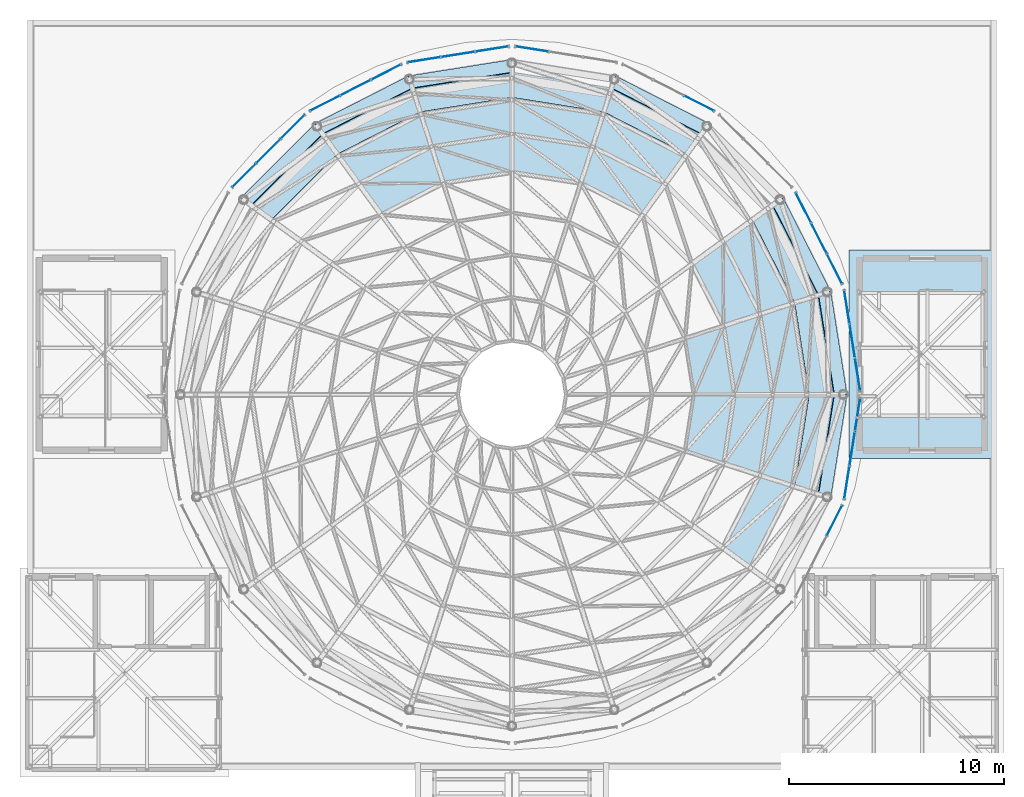
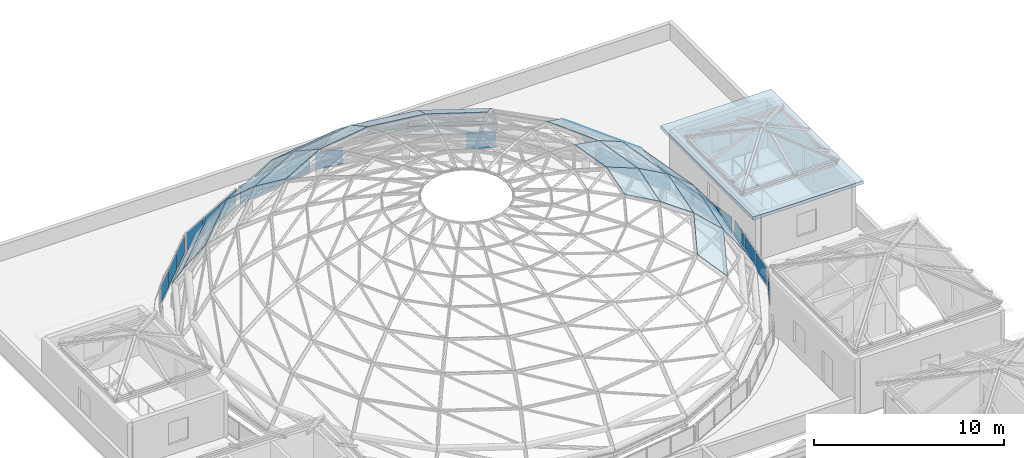
# One storey, part 45 of 69: 53 plates, 1 slab, 9 elements without a shape of their own.
"""IFC4 building model written with IfcOpenShell, lengths in metres."""

from ifc_helpers import new_model, si_unit, direction, frame, origin, origin_2d, place, context, subcontext, project, spatial, polyline, rectangle, outline, extrude, material, layer, layer_set, type_object, element, aggregate, save


model = new_model("IFC4")

# Units and contexts
model_context = context("Model", 3, precision=1e-05, world=origin(), true_north=direction((0.0, 1.0)))
body_context = subcontext(model_context, "Body", "Model", "MODEL_VIEW")
ifc_project = project(units=[si_unit("LENGTHUNIT", "METRE"), si_unit("AREAUNIT", "SQUARE_METRE"), si_unit("VOLUMEUNIT", "CUBIC_METRE"), si_unit("PLANEANGLEUNIT", "RADIAN"), si_unit("MASSUNIT", "GRAM", prefix="KILO")], contexts=[model_context])

# Site, building, storey
site_placement = place(None, origin())
site = spatial("IfcSite", under=ifc_project, at=site_placement, CompositionType="ELEMENT")
building_placement = place(site_placement, origin())
building = spatial("IfcBuilding", under=site, at=building_placement, Name="Kallimachos Central Library", CompositionType="ELEMENT")
storey_placement = place(building_placement, frame((0.0, 0.0, 23.39990234375)))
storey = spatial("IfcBuildingStorey", under=building, at=storey_placement, Name="L05", CompositionType="ELEMENT", Elevation=23.39990234375)

# Plates
ifc_material_1 = material(Name="Laminated glass", Category="glass")
ifc_layer_1 = layer(ifc_material_1, 0.030029296875)
ifc_layer_set_1 = layer_set([ifc_layer_1], Name="Dome glass panel 30")
plate_type_1 = type_object("IfcPlateType", Name="Dome glass panel 30", PredefinedType="SHEET", material=ifc_layer_set_1)
plate_1_placement = place(storey_placement, frame((96.491943359375, 104.39990234375, 7.128173828125), z_axis=(0.36227698329, 0.057379461971, 0.930302630719), x_axis=(0.931837913399, -1.20821e-06, -0.36287477613)))
element("IfcPlate", 1, at=plate_1_placement, inside=storey, type_object=plate_type_1, Name="Dome glass panel", PredefinedType="SHEET", context=body_context, shape_type="SweptSolid", body=[
    extrude(outline(polyline([(0.0, 0.0), (2.0454096458345776, 0.0), (1.5710693258436397, 3.218439230889356), (-0.3872073036253945, 2.6285954038547255), (0.0, 0.0)])), origin(), (0.0, 0.0, -1.0), 0.030029296875),
])
plate_2_placement = place(storey_placement, frame((96.076416015625, 101.77587890625, 7.128173828125), z_axis=(0.362273431763, -0.057381299347, 0.930303900413), x_axis=(0.886205662559, -0.288039670798, -0.362867292126)))
element("IfcPlate", 2, at=plate_2_placement, inside=storey, type_object=plate_type_1, Name="Dome glass panel", PredefinedType="SHEET", context=body_context, shape_type="SweptSolid", body=[
    extrude(outline(polyline([(0.0, 0.0), (2.045250764779541, -4.85722573273506e-17), (1.5708485916981765, 3.2184301143379273), (-0.38758016212524427, 2.628296709017089), (0.0, 0.0)])), origin(), (0.0, 0.0, -1.0), 0.030029296875),
])
plate_3_placement = place(storey_placement, frame((98.39794921875, 104.39990234375, 6.385986328125), z_axis=(0.481750522697, 0.076315913688, 0.872978988979), x_axis=(0.875532295338, 5.09502e-07, -0.483159600774)))
element("IfcPlate", 3, at=plate_3_placement, inside=storey, type_object=plate_type_1, Name="Dome glass panel", PredefinedType="SHEET", context=body_context, shape_type="SweptSolid", body=[
    extrude(outline(polyline([(0.0, 0.0), (2.0514939150252345, 2.7755575615628914e-17), (1.5288697456077458, 3.779331476812514), (-0.44567337163586224, 3.2225339516564997), (0.0, 0.0)])), origin(), (0.0, 0.0, -1.0), 0.030029296875),
])
plate_4_placement = place(storey_placement, frame((97.888916015625, 107.613037109375, 6.385986328125), z_axis=(0.434598869275, 0.221427079349, 0.87297988027), x_axis=(0.832659430085, 0.270610240913, -0.483164952168)))
element("IfcPlate", 4, at=plate_4_placement, inside=storey, type_object=plate_type_1, Name="Dome glass panel", PredefinedType="SHEET", context=body_context, shape_type="SweptSolid", body=[
    extrude(outline(polyline([(0.0, 0.0), (2.0515467348493885, 1.1102230246251565e-16), (1.5292860871941576, 3.7790466980522828), (-0.4452640386298784, 3.2225848386975295), (0.0, 0.0)])), origin(), (0.0, 0.0, -1.0), 0.030029296875),
])
plate_5_placement = place(storey_placement, frame((94.11181640625, 112.81201171875, 6.385986328125), z_axis=(0.221449258192, 0.434626180278, 0.872960657454), x_axis=(0.514585152967, 0.708324709918, -0.483195846076)))
element("IfcPlate", 5, at=plate_5_placement, inside=storey, type_object=plate_type_1, Name="Dome glass panel", PredefinedType="SHEET", context=body_context, shape_type="SweptSolid", body=[
    extrude(outline(polyline([(0.0, 0.0), (2.0514624047684378, 4.163336342344337e-17), (1.5289457598089728, 3.7792309130698163), (-0.445386969280537, 3.2226797403345007), (0.0, 0.0)])), origin(), (0.0, 0.0, -1.0), 0.030029296875),
])
plate_6_placement = place(storey_placement, frame((91.213134765625, 114.2890625, 6.385986328125), z_axis=(0.076306660292, 0.481781618691, 0.872962636936), x_axis=(0.270531960642, 0.832669408637, -0.483191591598)))
element("IfcPlate", 6, at=plate_6_placement, inside=storey, type_object=plate_type_1, Name="Dome glass panel", PredefinedType="SHEET", context=body_context, shape_type="SweptSolid", body=[
    extrude(outline(polyline([(0.0, 0.0), (2.051277390442588, 1.249000902703301e-16), (1.5289352086951906, 3.7791270341514185), (-0.44560256015994126, 3.2225051880734172), (0.0, 0.0)])), origin(), (0.0, 0.0, -1.0), 0.030029296875),
])
plate_7_placement = place(storey_placement, frame((88.0, 114.7978515625, 6.385986328125), z_axis=(-0.076306660292, 0.481781618691, 0.872962636936), x_axis=(2.170922e-06, 0.875515372728, -0.48319026492)))
element("IfcPlate", 7, at=plate_7_placement, inside=storey, type_object=plate_type_1, Name="Dome glass panel", PredefinedType="SHEET", context=body_context, shape_type="SweptSolid", body=[
    extrude(outline(polyline([(0.0, 0.0), (2.051493914240714, -1.3877787807814457e-17), (1.5288697461924077, 3.7790880479367703), (-0.4454596211586853, 3.222524950205716), (0.0, 0.0)])), origin(), (0.0, 0.0, -1.0), 0.030029296875),
])
plate_8_placement = place(storey_placement, frame((84.786865234375, 114.2890625, 6.385986328125), z_axis=(-0.221449258192, 0.434626180278, 0.872960657454), x_axis=(-0.270535623468, 0.832667150525, -0.483193432149)))
element("IfcPlate", 8, at=plate_8_placement, inside=storey, type_object=plate_type_1, Name="Dome glass panel", PredefinedType="SHEET", context=body_context, shape_type="SweptSolid", body=[
    extrude(outline(polyline([(0.0, 0.0), (2.0512773905610833, 0.0), (1.528815782979134, 3.7792385221318194), (-0.44569502032238006, 3.222637151468837), (0.0, 0.0)])), origin(), (0.0, 0.0, -1.0), 0.030029296875),
])
plate_9_placement = place(storey_placement, frame((97.888916015625, 101.186767578125, 6.385986328125), z_axis=(0.481754063023, -0.076319143399, 0.872976752904), x_axis=(0.832690993439, -0.270502790982, -0.483170725021)))
element("IfcPlate", 9, at=plate_9_placement, inside=storey, type_object=plate_type_1, Name="Dome glass panel", PredefinedType="SHEET", context=body_context, shape_type="SweptSolid", body=[
    extrude(outline(polyline([(0.0, 0.0), (2.0514806808048514, 2.7755575615628914e-17), (1.52926129675667, 3.7791440053789045), (-0.4452945582999969, 3.2225863185140455), (0.0, 0.0)])), origin(), (0.0, 0.0, -1.0), 0.030029296875),
])
plate_10_placement = place(storey_placement, frame((100.194091796875, 104.39990234375, 5.394775390625), z_axis=(0.623990542449, 0.098828209166, 0.775157266629), x_axis=(0.778970533281, 2.841534e-06, -0.62706052999)))
element("IfcPlate", 10, at=plate_10_placement, inside=storey, type_object=plate_type_1, Name="Dome glass panel", PredefinedType="SHEET", context=body_context, shape_type="SweptSolid", body=[
    extrude(outline(polyline([(0.0, 0.0), (2.0673293583424064, 2.7755575615628914e-17), (1.5411179776130912, 4.286850999316071), (-0.4649753649406279, 3.7868562609026943), (0.0, 0.0)])), origin(), (0.0, 0.0, -1.0), 0.030029296875),
])
plate_11_placement = place(storey_placement, frame((99.59716796875, 108.168212890625, 5.394775390625), z_axis=(0.562907142311, 0.286819828693, 0.775158006476), x_axis=(0.740869446786, 0.240656993927, -0.627053964259)))
element("IfcPlate", 11, at=plate_11_placement, inside=storey, type_object=plate_type_1, Name="Dome glass panel", PredefinedType="SHEET", context=body_context, shape_type="SweptSolid", body=[
    extrude(outline(polyline([(0.0, 0.0), (2.0674634797300535, 2.7755575615628914e-17), (1.5408064481610053, 4.28695738476905), (-0.46510266822462243, 3.7865062574825825), (0.0, 0.0)])), origin(), (0.0, 0.0, -1.0), 0.030029296875),
])
plate_12_placement = place(storey_placement, frame((95.16748046875, 114.26513671875, 5.394775390625), z_axis=(0.286792991085, 0.56289168485, 0.775179160834), x_axis=(0.457834384731, 0.630248596577, -0.627036189283)))
element("IfcPlate", 12, at=plate_12_placement, inside=storey, type_object=plate_type_1, Name="Dome glass panel", PredefinedType="SHEET", context=body_context, shape_type="SweptSolid", body=[
    extrude(outline(polyline([(0.0, 0.0), (2.0674372154850964, 1.3877787807814457e-17), (1.5413485697287832, 4.286696340810225), (-0.464819928924608, 3.786760142097733), (0.0, 0.0)])), origin(), (0.0, 0.0, -1.0), 0.030029296875),
])
plate_13_placement = place(storey_placement, frame((91.76806640625, 115.9970703125, 5.394775390625), z_axis=(0.098830426001, 0.62398557721, 0.775160980914), x_axis=(0.240769159484, 0.740835170853, -0.627051402573)))
element("IfcPlate", 13, at=plate_13_placement, inside=storey, type_object=plate_type_1, Name="Dome glass panel", PredefinedType="SHEET", context=body_context, shape_type="SweptSolid", body=[
    extrude(outline(polyline([(0.0, 0.0), (2.067522247505228, -2.7755575615628914e-17), (1.5408941698881842, 4.286799828977852), (-0.4650120153187337, 3.7866088151381785), (0.0, 0.0)])), origin(), (0.0, 0.0, -1.0), 0.030029296875),
])
plate_14_placement = place(storey_placement, frame((88.0, 116.593994140625, 5.394775390625), z_axis=(-0.098830426001, 0.62398557721, 0.775160980914), x_axis=(-3.454035e-06, 0.778974400038, -0.62705572645)))
element("IfcPlate", 14, at=plate_14_placement, inside=storey, type_object=plate_type_1, Name="Dome glass panel", PredefinedType="SHEET", context=body_context, shape_type="SweptSolid", body=[
    extrude(outline(polyline([(0.0, 0.0), (2.0673293579343692, 1.3877787807814457e-17), (1.5411179779172675, 4.28685099920672), (-0.46497536584847554, 3.786613315672333), (0.0, 0.0)])), origin(), (0.0, 0.0, -1.0), 0.030029296875),
])
plate_15_placement = place(storey_placement, frame((84.23193359375, 115.9970703125, 5.394775390625), z_axis=(-0.286792991085, 0.56289168485, 0.775179160834), x_axis=(-0.240767465673, 0.740846873335, -0.6270382267)))
element("IfcPlate", 15, at=plate_15_placement, inside=storey, type_object=plate_type_1, Name="Dome glass panel", PredefinedType="SHEET", context=body_context, shape_type="SweptSolid", body=[
    extrude(outline(polyline([(0.0, 0.0), (2.0675222484346567, 2.7755575615628914e-17), (1.54145670990546, 4.2866991766021405), (-0.46462927915226204, 3.7867835392401252), (0.0, 0.0)])), origin(), (0.0, 0.0, -1.0), 0.030029296875),
])
plate_16_placement = place(storey_placement, frame((97.865234375, 97.232666015625, 5.394775390625), z_axis=(0.562907142311, -0.286819828693, 0.775158006476), x_axis=(0.630141814249, -0.457961019476, -0.62705103347)))
element("IfcPlate", 16, at=plate_16_placement, inside=storey, type_object=plate_type_1, Name="Dome glass panel", PredefinedType="SHEET", context=body_context, shape_type="SweptSolid", body=[
    extrude(outline(polyline([(0.0, 0.0), (2.067395151876212, -2.7755575615628914e-17), (1.5406518662418782, 4.286946787489454), (-0.4653235458709106, 3.7864791201857346), (0.0, 0.0)])), origin(), (0.0, 0.0, -1.0), 0.030029296875),
])
plate_17_placement = place(storey_placement, frame((99.59716796875, 100.6318359375, 5.394775390625), z_axis=(0.62398961447, -0.098834068882, 0.775157266535), x_axis=(0.740859644765, -0.240658457268, -0.627064983637)))
element("IfcPlate", 17, at=plate_17_placement, inside=storey, type_object=plate_type_1, Name="Dome glass panel", PredefinedType="SHEET", context=body_context, shape_type="SweptSolid", body=[
    extrude(outline(polyline([(0.0, 0.0), (2.067463479072736, -4.163336342344337e-17), (1.5413829301650606, 4.286624112179151), (-0.46458027295593446, 3.7866618101911813), (0.0, 0.0)])), origin(), (0.0, 0.0, -1.0), 0.030029296875),
])
plate_18_placement = place(storey_placement, frame((101.804443359375, 104.39990234375, 4.098388671875), z_axis=(0.8060385409, 0.127668681023, 0.577929561858), x_axis=(0.582698576686, -6.919114e-06, -0.812688358893)))
element("IfcPlate", 18, at=plate_18_placement, inside=storey, type_object=plate_type_1, Name="Dome glass panel", PredefinedType="SHEET", context=body_context, shape_type="SweptSolid", body=[
    extrude(outline(polyline([(0.0, 0.0), (2.0101283155011345, -1.3877787807814457e-17), (1.582888329046985, 4.666124130108063), (-0.39366402816699025, 4.301048538686664), (0.0, 0.0)])), origin(), (0.0, 0.0, -1.0), 0.030029296875),
])
plate_19_placement = place(storey_placement, frame((101.12890625, 108.665771484375, 4.098388671875), z_axis=(0.727132424809, 0.370480641481, 0.577946823747), x_axis=(0.554157324258, 0.180150833884, -0.81268403271)))
element("IfcPlate", 19, at=plate_19_placement, inside=storey, type_object=plate_type_1, Name="Dome glass panel", PredefinedType="SHEET", context=body_context, shape_type="SweptSolid", body=[
    extrude(outline(polyline([(0.0, 0.0), (2.0099849274362587, -1.3877787807814457e-17), (1.5834128206214564, 4.665936133382014), (-0.3933774496878313, 4.301235336411186), (0.0, 0.0)])), origin(), (0.0, 0.0, -1.0), 0.030029296875),
])
plate_20_placement = place(storey_placement, frame((96.114013671875, 115.568115234375, 4.098388671875), z_axis=(0.370495519781, 0.727139498987, 0.577928385559), x_axis=(0.342523747773, 0.471397727073, -0.812687926034)))
element("IfcPlate", 20, at=plate_20_placement, inside=storey, type_object=plate_type_1, Name="Dome glass panel", PredefinedType="SHEET", context=body_context, shape_type="SweptSolid", body=[
    extrude(outline(polyline([(0.0, 0.0), (2.01003575697894, -5.551115123125783e-17), (1.5828219652487958, 4.665988722799677), (-0.39381449371839417, 4.300865602051241), (0.0, 0.0)])), origin(), (0.0, 0.0, -1.0), 0.030029296875),
])
plate_21_placement = place(storey_placement, frame((92.265869140625, 117.52880859375, 4.098388671875), z_axis=(0.127646774655, 0.806017803282, 0.577963322117), x_axis=(0.180003206072, 0.554226458852, -0.812669599599)))
element("IfcPlate", 21, at=plate_21_placement, inside=storey, type_object=plate_type_1, Name="Dome glass panel", PredefinedType="SHEET", context=body_context, shape_type="SweptSolid", body=[
    extrude(outline(polyline([(0.0, 0.0), (2.0100762631973534, -1.3877787807814457e-17), (1.5832762286195825, 4.665883897773747), (-0.39346958204622184, 4.301066332691642), (0.0, 0.0)])), origin(), (0.0, 0.0, -1.0), 0.030029296875),
])
plate_22_placement = place(storey_placement, frame((88.0, 118.204345703125, 4.098388671875), z_axis=(-0.127646774655, 0.806017803282, 0.577963322117), x_axis=(1.873301e-06, 0.582730431, -0.812665518392)))
element("IfcPlate", 22, at=plate_22_placement, inside=storey, type_object=plate_type_1, Name="Dome glass panel", PredefinedType="SHEET", context=body_context, shape_type="SweptSolid", body=[
    extrude(outline(polyline([(0.0, 0.0), (2.0101283182367347, -1.3877787807814457e-17), (1.5830305979523522, 4.665856658144118), (-0.3936640221600496, 4.301048540514967), (0.0, 0.0)])), origin(), (0.0, 0.0, -1.0), 0.030029296875),
])
plate_23_placement = place(storey_placement, frame((83.734130859375, 117.52880859375, 4.098388671875), z_axis=(-0.370495519781, 0.727139498987, 0.577928385559), x_axis=(-0.179997144746, 0.55420641031, -0.812684614506)))
element("IfcPlate", 23, at=plate_23_placement, inside=storey, type_object=plate_type_1, Name="Dome glass panel", PredefinedType="SHEET", context=body_context, shape_type="SweptSolid", body=[
    extrude(outline(polyline([(0.0, 0.0), (2.010076263285408, 5.551115123125783e-17), (1.5826228263029494, 4.665966774887074), (-0.3939738002242261, 4.300851011963461), (0.0, 0.0)])), origin(), (0.0, 0.0, -1.0), 0.030029296875),
])
plate_24_placement = place(storey_placement, frame((79.885986328125, 115.568115234375, 4.098388671875), z_axis=(-0.577037199739, 0.577059326246, 0.577953807938), x_axis=(-0.342538958721, 0.471408907353, -0.812675029656)))
element("IfcPlate", 24, at=plate_24_placement, inside=storey, type_object=plate_type_1, Name="Dome glass panel", PredefinedType="SHEET", context=body_context, shape_type="SweptSolid", body=[
    extrude(outline(polyline([(0.0, 0.0), (2.0100357559715203, 0.0), (1.5831747540244945, 4.665960792110681), (-0.39356303404184145, 4.300975630258858), (0.0, 0.0)])), origin(), (0.0, 0.0, -1.0), 0.030029296875),
])
plate_25_placement = place(storey_placement, frame((101.12890625, 100.13427734375, 4.098388671875), z_axis=(0.806037457696, -0.127675519008, 0.577929562003), x_axis=(0.554161527952, -0.18013781544, -0.812684052007)))
element("IfcPlate", 25, at=plate_25_placement, inside=storey, type_object=plate_type_1, Name="Dome glass panel", PredefinedType="SHEET", context=body_context, shape_type="SweptSolid", body=[
    extrude(outline(polyline([(0.0, 0.0), (2.0099849274396826, 0.0), (1.5826496678645496, 4.665873263185868), (-0.39404369226546276, 4.300771626552655), (0.0, 0.0)])), origin(), (0.0, 0.0, -1.0), 0.030029296875),
])
plate_26_placement = place(storey_placement, frame((102.975830078125, 104.39990234375, 2.46484375), z_axis=(0.84486379975, 0.133824012983, 0.517973255507), x_axis=(0.522673458519, 1.0393381e-05, -0.852532964554)))
element("IfcPlate", 26, at=plate_26_placement, inside=storey, type_object=plate_type_1, Name="Dome glass panel", PredefinedType="SHEET", context=body_context, shape_type="SweptSolid", body=[
    extrude(outline(polyline([(0.0, 0.0), (1.1253845000660936, 1.3877787807814457e-17), (0.7273043142825552, 4.853216892230375), (-0.3831521921382504, 4.669951049581846), (0.0, 0.0)])), origin(), (0.0, 0.0, -1.0), 0.030029296875),
])
plate_27_placement = place(storey_placement, frame((102.24267578125, 109.02783203125, 2.46484375), z_axis=(0.762180166759, 0.388324587715, 0.517962747671), x_axis=(0.497145565879, 0.16136985514, -0.852529211335)))
element("IfcPlate", 27, at=plate_27_placement, inside=storey, type_object=plate_type_1, Name="Dome glass panel", PredefinedType="SHEET", context=body_context, shape_type="SweptSolid", body=[
    extrude(outline(polyline([(0.0, 0.0), (1.1254776879307007, 0.0), (0.7266036563186589, 4.853229141871534), (-0.3837176872657795, 4.66965571620171), (0.0, 0.0)])), origin(), (0.0, 0.0, -1.0), 0.030029296875),
])
plate_28_placement = place(storey_placement, frame((96.802490234375, 116.515625, 2.46484375), z_axis=(0.388360347864, 0.762185597162, 0.517927944491), x_axis=(0.307187230564, 0.422818240392, -0.852561282824)))
element("IfcPlate", 28, at=plate_28_placement, inside=storey, type_object=plate_type_1, Name="Dome glass panel", PredefinedType="SHEET", context=body_context, shape_type="SweptSolid", body=[
    extrude(outline(polyline([(0.0, 0.0), (1.1253944605713686, 4.163336342344337e-17), (0.727346338597733, 4.853078689302593), (-0.38302888528066503, 4.669823471888973), (0.0, 0.0)])), origin(), (0.0, 0.0, -1.0), 0.030029296875),
])
plate_29_placement = place(storey_placement, frame((88.0, 119.375732421875, 2.46484375), z_axis=(-0.133826210018, 0.84485581386, 0.517985713412), x_axis=(1.2153186e-05, 0.522688781651, -0.85252356999)))
element("IfcPlate", 29, at=plate_29_placement, inside=storey, type_object=plate_type_1, Name="Dome glass panel", PredefinedType="SHEET", context=body_context, shape_type="SweptSolid", body=[
    extrude(outline(polyline([(0.0, 0.0), (1.1255121078709978, 0.0), (0.7271842013059528, 4.853234890871789), (-0.38314015775161947, 4.669671768653668), (0.0, 0.0)])), origin(), (0.0, 0.0, -1.0), 0.030029296875),
])
plate_30_placement = place(storey_placement, frame((83.372314453125, 118.642822265625, 2.46484375), z_axis=(-0.388360347864, 0.762185597162, 0.517927944491), x_axis=(-0.161615219952, 0.496997558745, -0.852569027869)))
element("IfcPlate", 30, at=plate_30_placement, inside=storey, type_object=plate_type_1, Name="Dome glass panel", PredefinedType="SHEET", context=body_context, shape_type="SweptSolid", body=[
    extrude(outline(polyline([(0.0, 0.0), (1.1253957581723488, 2.7755575615628914e-17), (0.7278740734369874, 4.853121838789427), (-0.38249987015936904, 4.669866832672277), (0.0, 0.0)])), origin(), (0.0, 0.0, -1.0), 0.030029296875),
])
plate_31_placement = place(storey_placement, frame((79.197509765625, 116.515625, 2.46484375), z_axis=(-0.60485826471, 0.604901979397, 0.517918984913), x_axis=(-0.307182429579, 0.422810289459, -0.852566955779)))
element("IfcPlate", 31, at=plate_31_placement, inside=storey, type_object=plate_type_1, Name="Dome glass panel", PredefinedType="SHEET", context=body_context, shape_type="SweptSolid", body=[
    extrude(outline(polyline([(0.0, 0.0), (1.1253944606077242, 2.7755575615628914e-17), (0.7273494104477153, 4.853176943057057), (-0.38299874905748443, 4.6697657747767), (0.0, 0.0)])), origin(), (0.0, 0.0, -1.0), 0.030029296875),
])
plate_32_placement = place(storey_placement, frame((102.24267578125, 99.772216796875, 2.46484375), z_axis=(0.84485581386, -0.133826210018, 0.517985713412), x_axis=(0.497089202167, -0.161588694416, -0.852520626687)))
element("IfcPlate", 32, at=plate_32_placement, inside=storey, type_object=plate_type_1, Name="Dome glass panel", PredefinedType="SHEET", context=body_context, shape_type="SweptSolid", body=[
    extrude(outline(polyline([(0.0, 0.0), (1.125517112203259, -4.163336342344337e-17), (0.726987090419343, 4.853179973573302), (-0.383338581186722, 4.669693808498468), (0.0, 0.0)])), origin(), (0.0, 0.0, -1.0), 0.030029296875),
])

# Slab
ifc_material_2 = material(Name="Concrete C30/37", Category="concrete")
ifc_layer_2 = layer(ifc_material_2, 0.199951171875)
ifc_layer_set_2 = layer_set([ifc_layer_2], Name="Head-house roof slab 200")
slab_type = type_object("IfcSlabType", Name="Head-house roof slab 200", PredefinedType="ROOF", material=ifc_layer_set_2)
slab_placement = place(storey_placement, frame((0.0, 0.0, 3.0)))
element("IfcSlab", 33, at=slab_placement, inside=storey, type_object=slab_type, Name="Head-house roof and cornice V1-NE", PredefinedType="ROOF", context=body_context, shape_type="SweptSolid", body=[
    extrude(outline(polyline([(103.64990234375, 101.425048828125), (110.35009765625, 101.425048828125), (110.35009765625, 111.125), (103.64990234375, 111.125), (103.64990234375, 101.425048828125)])), origin(), (0.0, 0.0, 1.0), 0.2001953125),
])

# Curtain wall, plates
ifc_material_3 = material(Name="Anodised aluminium and laminated glass", Category="aluminium")
ifc_layer_3 = layer(ifc_material_3, 0.159912109375)
ifc_layer_set_3 = layer_set([ifc_layer_3], Name="Glass box curtain wall")
curtain_wall_type = type_object("IfcCurtainWallType", Name="Glass box curtain wall", PredefinedType="NOTDEFINED", material=ifc_layer_set_3)
curtain_wall_1_placement = place(storey_placement, origin())
curtain_wall_1 = element("IfcCurtainWall", 34, at=curtain_wall_1_placement, inside=storey, type_object=curtain_wall_type, Name="Drum clerestory facet 1", PredefinedType="NOTDEFINED")
ifc_material_4 = material(Name="Laminated glass", Category="glass")
ifc_layer_4 = layer(ifc_material_4, 0.028076171875)
ifc_layer_set_4 = layer_set([ifc_layer_4], Name="Laminated glass panel 28")
plate_type_2 = type_object("IfcPlateType", Name="Laminated glass panel 28", PredefinedType="CURTAIN_PANEL", material=ifc_layer_set_4)
plate_33_placement = place(storey_placement, frame((104.052490234375, 105.328125, 0.06005859375), z_axis=(0.0, 0.0, 1.0), x_axis=(-0.156435338924, 0.987688202185, 0.0)))
plate_33 = element("IfcPlate", 35, at=plate_33_placement, type_object=plate_type_2, Name="CW35 panel 1.1", PredefinedType="CURTAIN_PANEL", context=body_context, shape_type="SweptSolid", body=[
    extrude(rectangle(XDim=1.51953125, YDim=0.028076171875, at=origin_2d()), origin(), (0.0, 0.0, 1.0), 1.080078125),
])
plate_34_placement = place(storey_placement, frame((103.802978515625, 106.903076171875, 0.06005859375), z_axis=(0.0, 0.0, 1.0), x_axis=(-0.156435338924, 0.987688202185, 0.0)))
plate_34 = element("IfcPlate", 36, at=plate_34_placement, type_object=plate_type_2, Name="CW35 panel 2.1", PredefinedType="CURTAIN_PANEL", context=body_context, shape_type="SweptSolid", body=[
    extrude(rectangle(XDim=1.549560546875, YDim=0.028076171875, at=origin_2d()), origin(), (0.0, 0.0, 1.0), 1.080078125),
])
plate_35_placement = place(storey_placement, frame((103.553466796875, 108.477783203125, 0.06005859375), z_axis=(0.0, 0.0, 1.0), x_axis=(-0.156435338924, 0.987688202185, 0.0)))
plate_35 = element("IfcPlate", 37, at=plate_35_placement, type_object=plate_type_2, Name="CW35 panel 3.1", PredefinedType="CURTAIN_PANEL", context=body_context, shape_type="SweptSolid", body=[
    extrude(rectangle(XDim=1.51953125, YDim=0.028076171875, at=origin_2d()), origin(), (0.0, 0.0, 1.0), 1.080078125),
])
aggregate(curtain_wall_1, [plate_33, plate_34, plate_35])

curtain_wall_2_placement = place(storey_placement, origin())
curtain_wall_2 = element("IfcCurtainWall", 38, at=curtain_wall_2_placement, inside=storey, type_object=curtain_wall_type, Name="Drum clerestory facet 2", PredefinedType="NOTDEFINED")
plate_36_placement = place(storey_placement, frame((102.97998046875, 110.2431640625, 0.06005859375), z_axis=(0.0, 0.0, 1.0), x_axis=(-0.453990803653, 0.891006369337, 0.0)))
plate_36 = element("IfcPlate", 39, at=plate_36_placement, type_object=plate_type_2, Name="CW36 panel 1.1", PredefinedType="CURTAIN_PANEL", context=body_context, shape_type="SweptSolid", body=[
    extrude(rectangle(XDim=1.51953125, YDim=0.028076171875, at=origin_2d()), origin(), (0.0, 0.0, 1.0), 1.080078125),
])
plate_37_placement = place(storey_placement, frame((102.256103515625, 111.663818359375, 0.06005859375), z_axis=(0.0, 0.0, 1.0), x_axis=(-0.453990803653, 0.891006369337, 0.0)))
plate_37 = element("IfcPlate", 40, at=plate_37_placement, type_object=plate_type_2, Name="CW36 panel 2.1", PredefinedType="CURTAIN_PANEL", context=body_context, shape_type="SweptSolid", body=[
    extrude(rectangle(XDim=1.54931640625, YDim=0.028076171875, at=origin_2d()), origin(), (0.0, 0.0, 1.0), 1.080078125),
])
plate_38_placement = place(storey_placement, frame((101.5322265625, 113.08447265625, 0.06005859375), z_axis=(0.0, 0.0, 1.0), x_axis=(-0.453990803653, 0.891006369337, 0.0)))
plate_38 = element("IfcPlate", 41, at=plate_38_placement, type_object=plate_type_2, Name="CW36 panel 3.1", PredefinedType="CURTAIN_PANEL", context=body_context, shape_type="SweptSolid", body=[
    extrude(rectangle(XDim=1.51953125, YDim=0.028076171875, at=origin_2d()), origin(), (0.0, 0.0, 1.0), 1.080078125),
])
aggregate(curtain_wall_2, [plate_36, plate_37, plate_38])

# Curtain wall, plate
curtain_wall_3_placement = place(storey_placement, origin())
curtain_wall_3 = element("IfcCurtainWall", 42, at=curtain_wall_3_placement, inside=storey, type_object=curtain_wall_type, Name="Drum clerestory facet 4", PredefinedType="NOTDEFINED")
plate_39_placement = place(storey_placement, frame((96.6845703125, 117.932373046875, 0.06005859375), z_axis=(0.0, 0.0, 1.0), x_axis=(-0.891006369337, 0.453990803653, 0.0)))
plate_39 = element("IfcPlate", 43, at=plate_39_placement, type_object=plate_type_2, Name="CW38 panel 1.1", PredefinedType="CURTAIN_PANEL", context=body_context, shape_type="SweptSolid", body=[
    extrude(rectangle(XDim=1.51953125, YDim=0.028076171875, at=origin_2d()), origin(), (0.0, 0.0, 1.0), 1.080078125),
])
aggregate(curtain_wall_3, [plate_39])

curtain_wall_4_placement = place(storey_placement, origin())
curtain_wall_4 = element("IfcCurtainWall", 44, at=curtain_wall_4_placement, inside=storey, type_object=curtain_wall_type, Name="Drum clerestory facet 5", PredefinedType="NOTDEFINED")
plate_40_placement = place(storey_placement, frame((88.92822265625, 120.452392578125, 0.06005859375), z_axis=(0.0, 0.0, 1.0), x_axis=(-0.987688202185, 0.156435338924, 0.0)))
plate_40 = element("IfcPlate", 45, at=plate_40_placement, type_object=plate_type_2, Name="CW39 panel 3.1", PredefinedType="CURTAIN_PANEL", context=body_context, shape_type="SweptSolid", body=[
    extrude(rectangle(XDim=1.51953125, YDim=0.028076171875, at=origin_2d()), origin(), (0.0, 0.0, 1.0), 1.080078125),
])
aggregate(curtain_wall_4, [plate_40])

# Curtain wall, plates
curtain_wall_5_placement = place(storey_placement, origin())
curtain_wall_5 = element("IfcCurtainWall", 46, at=curtain_wall_5_placement, inside=storey, type_object=curtain_wall_type, Name="Drum clerestory facet 6", PredefinedType="NOTDEFINED")
plate_41_placement = place(storey_placement, frame((87.07177734375, 120.452392578125, 0.06005859375), z_axis=(0.0, 0.0, 1.0), x_axis=(-0.987688202185, -0.156435338924, 0.0)))
plate_41 = element("IfcPlate", 47, at=plate_41_placement, type_object=plate_type_2, Name="CW40 panel 1.1", PredefinedType="CURTAIN_PANEL", context=body_context, shape_type="SweptSolid", body=[
    extrude(rectangle(XDim=1.51953125, YDim=0.028076171875, at=origin_2d()), origin(), (0.0, 0.0, 1.0), 1.080078125),
])
plate_42_placement = place(storey_placement, frame((85.4970703125, 120.203125, 0.06005859375), z_axis=(0.0, 0.0, 1.0), x_axis=(-0.987688202185, -0.156435338924, 0.0)))
plate_42 = element("IfcPlate", 48, at=plate_42_placement, type_object=plate_type_2, Name="CW40 panel 2.1", PredefinedType="CURTAIN_PANEL", context=body_context, shape_type="SweptSolid", body=[
    extrude(rectangle(XDim=1.549560546875, YDim=0.028076171875, at=origin_2d()), origin(), (0.0, 0.0, 1.0), 1.080078125),
])
plate_43_placement = place(storey_placement, frame((83.922119140625, 119.95361328125, 0.06005859375), z_axis=(0.0, 0.0, 1.0), x_axis=(-0.987688202185, -0.156435338924, 0.0)))
plate_43 = element("IfcPlate", 49, at=plate_43_placement, type_object=plate_type_2, Name="CW40 panel 3.1", PredefinedType="CURTAIN_PANEL", context=body_context, shape_type="SweptSolid", body=[
    extrude(rectangle(XDim=1.51953125, YDim=0.028076171875, at=origin_2d()), origin(), (0.0, 0.0, 1.0), 1.080078125),
])
aggregate(curtain_wall_5, [plate_41, plate_42, plate_43])

curtain_wall_6_placement = place(storey_placement, origin())
curtain_wall_6 = element("IfcCurtainWall", 50, at=curtain_wall_6_placement, inside=storey, type_object=curtain_wall_type, Name="Drum clerestory facet 7", PredefinedType="NOTDEFINED")
plate_44_placement = place(storey_placement, frame((82.15673828125, 119.3798828125, 0.06005859375), z_axis=(0.0, 0.0, 1.0), x_axis=(-0.891006369337, -0.453990803653, 0.0)))
plate_44 = element("IfcPlate", 51, at=plate_44_placement, type_object=plate_type_2, Name="CW41 panel 1.1", PredefinedType="CURTAIN_PANEL", context=body_context, shape_type="SweptSolid", body=[
    extrude(rectangle(XDim=1.51953125, YDim=0.028076171875, at=origin_2d()), origin(), (0.0, 0.0, 1.0), 1.080078125),
])
plate_45_placement = place(storey_placement, frame((80.736083984375, 118.656005859375, 0.06005859375), z_axis=(0.0, 0.0, 1.0), x_axis=(-0.891006369337, -0.453990803653, 0.0)))
plate_45 = element("IfcPlate", 52, at=plate_45_placement, type_object=plate_type_2, Name="CW41 panel 2.1", PredefinedType="CURTAIN_PANEL", context=body_context, shape_type="SweptSolid", body=[
    extrude(rectangle(XDim=1.54931640625, YDim=0.028076171875, at=origin_2d()), origin(), (0.0, 0.0, 1.0), 1.080078125),
])
plate_46_placement = place(storey_placement, frame((79.3154296875, 117.932373046875, 0.06005859375), z_axis=(0.0, 0.0, 1.0), x_axis=(-0.891006369337, -0.453990803653, 0.0)))
plate_46 = element("IfcPlate", 53, at=plate_46_placement, type_object=plate_type_2, Name="CW41 panel 3.1", PredefinedType="CURTAIN_PANEL", context=body_context, shape_type="SweptSolid", body=[
    extrude(rectangle(XDim=1.51953125, YDim=0.028076171875, at=origin_2d()), origin(), (0.0, 0.0, 1.0), 1.080078125),
])
aggregate(curtain_wall_6, [plate_44, plate_45, plate_46])

curtain_wall_7_placement = place(storey_placement, origin())
curtain_wall_7 = element("IfcCurtainWall", 54, at=curtain_wall_7_placement, inside=storey, type_object=curtain_wall_type, Name="Drum clerestory facet 8", PredefinedType="NOTDEFINED")
plate_47_placement = place(storey_placement, frame((77.813720703125, 116.841064453125, 0.06005859375), z_axis=(0.0, 0.0, 1.0), x_axis=(-0.707106781187, -0.707106781187, 0.0)))
plate_47 = element("IfcPlate", 55, at=plate_47_placement, type_object=plate_type_2, Name="CW42 panel 1.1", PredefinedType="CURTAIN_PANEL", context=body_context, shape_type="SweptSolid", body=[
    extrude(rectangle(XDim=1.51953125, YDim=0.028076171875, at=origin_2d()), origin(), (0.0, 0.0, 1.0), 1.080078125),
])
plate_48_placement = place(storey_placement, frame((76.686279296875, 115.713623046875, 0.06005859375), z_axis=(0.0, 0.0, 1.0), x_axis=(-0.707106781187, -0.707106781187, 0.0)))
plate_48 = element("IfcPlate", 56, at=plate_48_placement, type_object=plate_type_2, Name="CW42 panel 2.1", PredefinedType="CURTAIN_PANEL", context=body_context, shape_type="SweptSolid", body=[
    extrude(rectangle(XDim=1.549560546875, YDim=0.028076171875, at=origin_2d()), origin(), (0.0, 0.0, 1.0), 1.080078125),
])
plate_49_placement = place(storey_placement, frame((75.558837890625, 114.586181640625, 0.06005859375), z_axis=(0.0, 0.0, 1.0), x_axis=(-0.707106781187, -0.707106781187, 0.0)))
plate_49 = element("IfcPlate", 57, at=plate_49_placement, type_object=plate_type_2, Name="CW42 panel 3.1", PredefinedType="CURTAIN_PANEL", context=body_context, shape_type="SweptSolid", body=[
    extrude(rectangle(XDim=1.51953125, YDim=0.028076171875, at=origin_2d()), origin(), (0.0, 0.0, 1.0), 1.080078125),
])
aggregate(curtain_wall_7, [plate_47, plate_48, plate_49])

# Curtain wall, plate
curtain_wall_8_placement = place(storey_placement, origin())
curtain_wall_8 = element("IfcCurtainWall", 58, at=curtain_wall_8_placement, inside=storey, type_object=curtain_wall_type, Name="Drum clerestory facet 19", PredefinedType="NOTDEFINED")
plate_50_placement = place(storey_placement, frame((102.97998046875, 98.556884765625, 0.06005859375), z_axis=(0.0, 0.0, 1.0), x_axis=(0.453990803653, 0.891006369337, 0.0)))
plate_50 = element("IfcPlate", 59, at=plate_50_placement, type_object=plate_type_2, Name="CW53 panel 3.1", PredefinedType="CURTAIN_PANEL", context=body_context, shape_type="SweptSolid", body=[
    extrude(rectangle(XDim=1.51953125, YDim=0.028076171875, at=origin_2d()), origin(), (0.0, 0.0, 1.0), 1.080078125),
])
aggregate(curtain_wall_8, [plate_50])

# Curtain wall, plates
curtain_wall_9_placement = place(storey_placement, origin())
curtain_wall_9 = element("IfcCurtainWall", 60, at=curtain_wall_9_placement, inside=storey, type_object=curtain_wall_type, Name="Drum clerestory facet 20", PredefinedType="NOTDEFINED")
plate_51_placement = place(storey_placement, frame((103.553466796875, 100.322265625, 0.06005859375), z_axis=(0.0, 0.0, 1.0), x_axis=(0.156435338924, 0.987688202185, 0.0)))
plate_51 = element("IfcPlate", 61, at=plate_51_placement, type_object=plate_type_2, Name="CW54 panel 1.1", PredefinedType="CURTAIN_PANEL", context=body_context, shape_type="SweptSolid", body=[
    extrude(rectangle(XDim=1.51953125, YDim=0.028076171875, at=origin_2d()), origin(), (0.0, 0.0, 1.0), 1.080078125),
])
plate_52_placement = place(storey_placement, frame((103.802978515625, 101.89697265625, 0.06005859375), z_axis=(0.0, 0.0, 1.0), x_axis=(0.156435338924, 0.987688202185, 0.0)))
plate_52 = element("IfcPlate", 62, at=plate_52_placement, type_object=plate_type_2, Name="CW54 panel 2.1", PredefinedType="CURTAIN_PANEL", context=body_context, shape_type="SweptSolid", body=[
    extrude(rectangle(XDim=1.549560546875, YDim=0.028076171875, at=origin_2d()), origin(), (0.0, 0.0, 1.0), 1.080078125),
])
plate_53_placement = place(storey_placement, frame((104.052490234375, 103.471923828125, 0.06005859375), z_axis=(0.0, 0.0, 1.0), x_axis=(0.156435338924, 0.987688202185, 0.0)))
plate_53 = element("IfcPlate", 63, at=plate_53_placement, type_object=plate_type_2, Name="CW54 panel 3.1", PredefinedType="CURTAIN_PANEL", context=body_context, shape_type="SweptSolid", body=[
    extrude(rectangle(XDim=1.51953125, YDim=0.028076171875, at=origin_2d()), origin(), (0.0, 0.0, 1.0), 1.080078125),
])
aggregate(curtain_wall_9, [plate_51, plate_52, plate_53])

save(model, "model.ifc")
